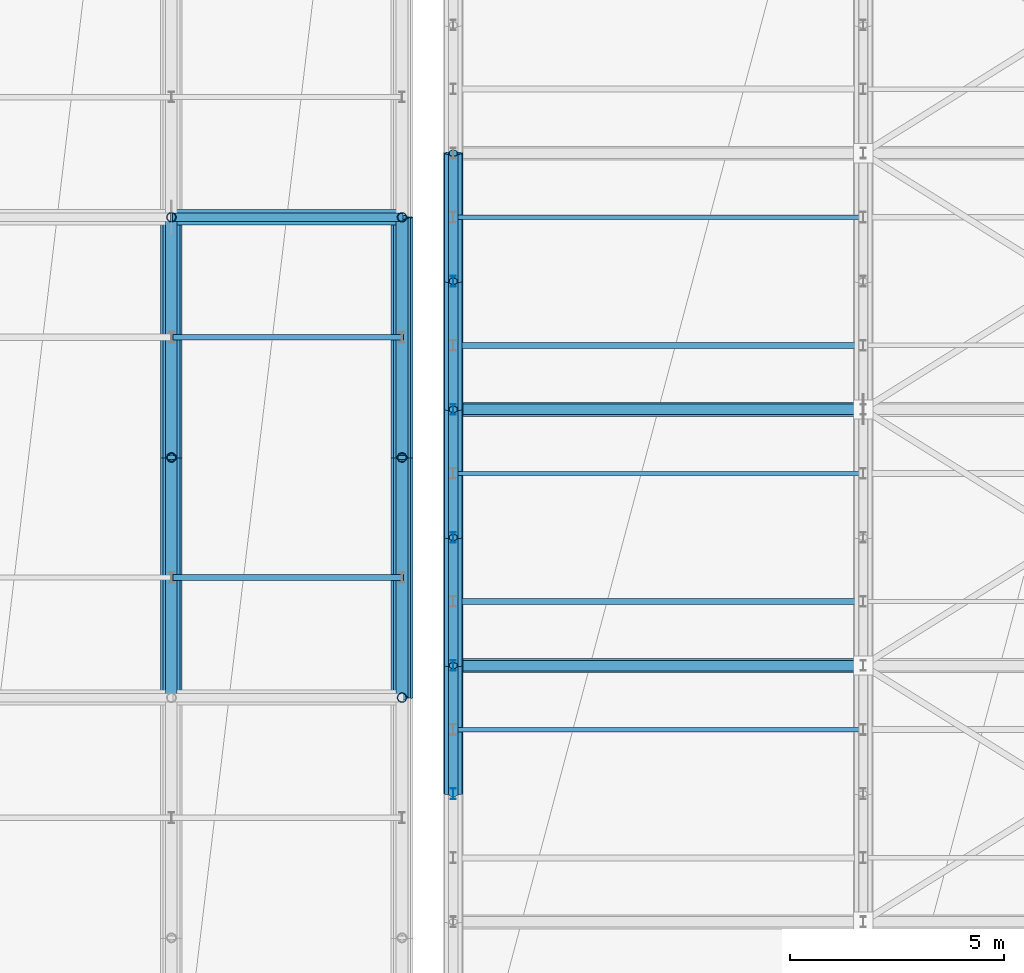
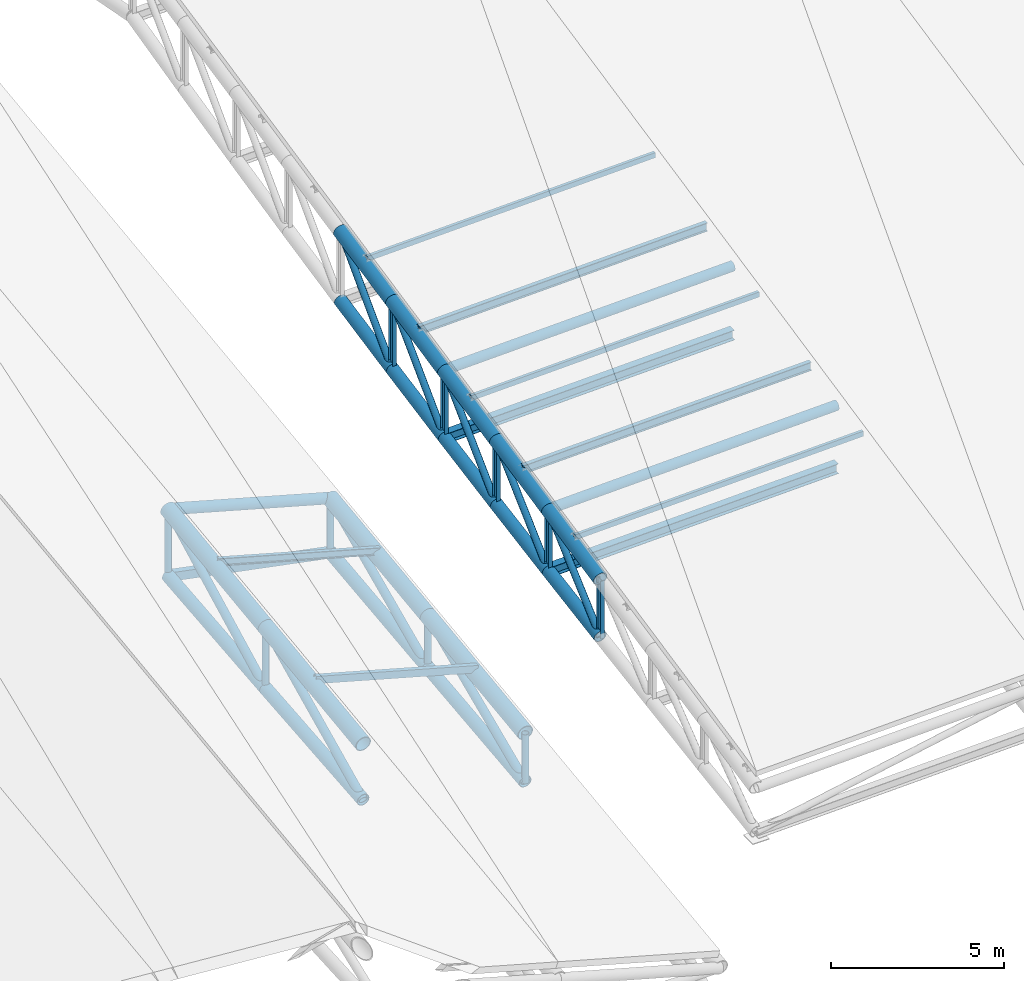
# One storey, part 35 of 109: 32 members, 18 beams.
"""IFC4 building model written with IfcOpenShell, lengths in metres."""

from ifc_helpers import new_model, si_unit, direction, frame, origin, origin_2d, place, context, subcontext, project, spatial, hollow_rectangle, hollow_circle, i_section, extrude, material, material_profile, profile_set, type_object, element, save


model = new_model("IFC4")

# Units and contexts
model_context = context("Model", 3, precision=1e-05, world=origin(), true_north=direction((0.0, 1.0)))
body_context = subcontext(model_context, "Body", "Model", "MODEL_VIEW")
ifc_project = project(units=[si_unit("LENGTHUNIT", "METRE"), si_unit("AREAUNIT", "SQUARE_METRE"), si_unit("VOLUMEUNIT", "CUBIC_METRE"), si_unit("PLANEANGLEUNIT", "RADIAN"), si_unit("MASSUNIT", "GRAM", prefix="KILO")], contexts=[model_context])

# Site, building, storey
site_placement = place(None, origin())
site = spatial("IfcSite", under=ifc_project, at=site_placement, CompositionType="ELEMENT")
building_placement = place(site_placement, origin())
building = spatial("IfcBuilding", under=site, at=building_placement, Name="Suirenkawa Promenade Aquatics Centre", CompositionType="ELEMENT")
storey_placement = place(building_placement, frame((0.0, 0.0, 22.800048828125)))
storey = spatial("IfcBuildingStorey", under=building, at=storey_placement, Name="ROOF", CompositionType="ELEMENT", Elevation=22.800048828125)

# Beams
ifc_material = material(Name="Steel IS 2062 E350 (Grade 350)", Category="steel")
ifc_material_profile_1 = material_profile(ifc_material, hollow_circle(Radius=0.202880859375, WallThickness=0.01806640625, at=origin_2d()), Name="CHS 406x18", Category="steel")
ifc_profile_set_1 = profile_set([ifc_material_profile_1], Name="Steel IS 2062 E350 (Grade 350)")
beam_type_1 = type_object("IfcBeamType", Name="BT-BC-CHS406", PredefinedType="BEAM", material=ifc_profile_set_1)
beam_1_placement = place(storey_placement, frame((149.39990234375, 61.64990234375, -14.02001953125), z_axis=(0.0, 0.99580129814, 0.091541108918), x_axis=(-1.0, 0.0, 0.0)))
element("IfcBeam", 1, at=beam_1_placement, inside=storey, type_object=beam_type_1, Name="ROOF TRUSS V1 bottom chord BC-01 BM-2344", PredefinedType="BEAM", context=body_context, shape_type="SweptSolid", body=[
    extrude(hollow_circle(Radius=0.202880859375, WallThickness=0.01806640625, at=origin_2d()), origin(), (0.0, 0.0, 1.0), 5.648681640625),
])
beam_2_placement = place(storey_placement, frame((149.39990234375, 67.27490234375, -13.5029296875), z_axis=(0.0, 0.995118108673, 0.098691183955), x_axis=(-1.0, 0.0, 0.0)))
element("IfcBeam", 2, at=beam_2_placement, inside=storey, type_object=beam_type_1, Name="ROOF TRUSS V1 bottom chord BC-01 BM-2346", PredefinedType="BEAM", context=body_context, shape_type="SweptSolid", body=[
    extrude(hollow_circle(Radius=0.202880859375, WallThickness=0.01806640625, at=origin_2d()), origin(), (0.0, 0.0, 1.0), 5.652587890625),
])
beam_3_placement = place(storey_placement, frame((154.800048828125, 61.64990234375, -15.27294921875), z_axis=(0.0, 0.993945133668, 0.109877528448), x_axis=(-1.0, 0.0, 0.0)))
element("IfcBeam", 3, at=beam_3_placement, inside=storey, type_object=beam_type_1, Name="ROOF TRUSS V1 bottom chord BC-01 BM-2372", PredefinedType="BEAM", context=body_context, shape_type="SweptSolid", body=[
    extrude(hollow_circle(Radius=0.202880859375, WallThickness=0.01806640625, at=origin_2d()), origin(), (0.0, 0.0, 1.0), 5.6591796875),
])
beam_4_placement = place(storey_placement, frame((154.800048828125, 67.27490234375, -14.651123046875), z_axis=(0.0, 0.993528502262, 0.11358307617), x_axis=(-1.0, 0.0, 0.0)))
element("IfcBeam", 4, at=beam_4_placement, inside=storey, type_object=beam_type_1, Name="ROOF TRUSS V1 bottom chord BC-01 BM-2374", PredefinedType="BEAM", context=body_context, shape_type="SweptSolid", body=[
    extrude(hollow_circle(Radius=0.202880859375, WallThickness=0.01806640625, at=origin_2d()), origin(), (0.0, 0.0, 1.0), 5.66162109375),
])
beam_5_placement = place(storey_placement, frame((156.0, 59.39990234375, -9.208984375), z_axis=(0.0, 0.986393923832, 0.164398987305), x_axis=(-1.0, 0.0, 0.0)))
element("IfcBeam", 5, at=beam_5_placement, inside=storey, type_object=beam_type_1, Name="ROOF TRUSS V2 bottom chord BC-01 BM-2402", PredefinedType="BEAM", context=body_context, shape_type="SweptSolid", body=[
    extrude(hollow_circle(Radius=0.202880859375, WallThickness=0.01806640625, at=origin_2d()), origin(), (0.0, 0.0, 1.0), 3.041259765625),
])
beam_6_placement = place(storey_placement, frame((156.0, 62.39990234375, -8.708984375), z_axis=(0.0, 0.985198806209, 0.171415612604), x_axis=(-1.0, 0.0, 0.0)))
element("IfcBeam", 6, at=beam_6_placement, inside=storey, type_object=beam_type_1, Name="ROOF TRUSS V2 bottom chord BC-01 BM-2404", PredefinedType="BEAM", context=body_context, shape_type="SweptSolid", body=[
    extrude(hollow_circle(Radius=0.202880859375, WallThickness=0.01806640625, at=origin_2d()), origin(), (0.0, 0.0, 1.0), 3.045166015625),
])
beam_7_placement = place(storey_placement, frame((156.0, 65.39990234375, -8.18701171875), z_axis=(0.0, 0.983844279064, 0.179026351561), x_axis=(-1.0, 0.0, 0.0)))
element("IfcBeam", 7, at=beam_7_placement, inside=storey, type_object=beam_type_1, Name="ROOF TRUSS V2 bottom chord BC-01 BM-2406", PredefinedType="BEAM", context=body_context, shape_type="SweptSolid", body=[
    extrude(hollow_circle(Radius=0.202880859375, WallThickness=0.01806640625, at=origin_2d()), origin(), (0.0, 0.0, 1.0), 3.04931640625),
])
beam_8_placement = place(storey_placement, frame((156.0, 68.39990234375, -7.64111328125), z_axis=(0.0, 0.982125967057, 0.188224825229), x_axis=(-1.0, 0.0, 0.0)))
element("IfcBeam", 8, at=beam_8_placement, inside=storey, type_object=beam_type_1, Name="ROOF TRUSS V2 bottom chord BC-01 BM-2408", PredefinedType="BEAM", context=body_context, shape_type="SweptSolid", body=[
    extrude(hollow_circle(Radius=0.202880859375, WallThickness=0.01806640625, at=origin_2d()), origin(), (0.0, 0.0, 1.0), 3.0546875),
])
beam_9_placement = place(storey_placement, frame((156.0, 71.39990234375, -7.066162109375), z_axis=(0.0, 0.980189104436, 0.198063927923), x_axis=(-1.0, 0.0, 0.0)))
element("IfcBeam", 9, at=beam_9_placement, inside=storey, type_object=beam_type_1, Name="ROOF TRUSS V2 bottom chord BC-01 BM-2410", PredefinedType="BEAM", context=body_context, shape_type="SweptSolid", body=[
    extrude(hollow_circle(Radius=0.202880859375, WallThickness=0.01806640625, at=origin_2d()), origin(), (0.0, 0.0, 1.0), 3.060546875),
])
ifc_material_profile_2 = material_profile(ifc_material, hollow_circle(Radius=0.22900390625, WallThickness=0.02001953125, at=origin_2d()), Name="CHS 458x20", Category="steel")
ifc_profile_set_2 = profile_set([ifc_material_profile_2], Name="Steel IS 2062 E350 (Grade 350)")
beam_type_2 = type_object("IfcBeamType", Name="BT-TC-CHS458", PredefinedType="BEAM", material=ifc_profile_set_2)
beam_10_placement = place(storey_placement, frame((156.0, 59.39990234375, -7.179931640625), z_axis=(0.0, 0.978468602667, 0.206395720875), x_axis=(-1.0, 0.0, 0.0)))
element("IfcBeam", 10, at=beam_10_placement, inside=storey, type_object=beam_type_2, Name="ROOF TRUSS V2 top chord TC-01 BM-2401", PredefinedType="BEAM", context=body_context, shape_type="SweptSolid", body=[
    extrude(hollow_circle(Radius=0.22900390625, WallThickness=0.02001953125, at=origin_2d()), origin(), (0.0, 0.0, 1.0), 3.06591796875),
])
for number, where, z_axis, x_axis, name in (
    (11, (156.0, 62.39990234375, -6.547119140625), (0.0, 0.978388130003, 0.206776853322), (-1.0, 0.0, 0.0), "ROOF TRUSS V2 top chord TC-01 BM-2403"),
    (12, (156.0, 65.39990234375, -5.9130859375), (0.0, 0.978452518953, 0.206471954886), (-1.0, 0.0, 0.0), "ROOF TRUSS V2 top chord TC-01 BM-2405"),
    (13, (156.0, 68.39990234375, -5.280029296875), (0.0, 0.978452518953, 0.206471954886), (-1.0, 0.0, 0.0), "ROOF TRUSS V2 top chord TC-01 BM-2407"),
    (14, (156.0, 71.39990234375, -4.64697265625), (0.0, 0.978388130003, 0.206776853322), (-1.0, 0.0, 0.0), "ROOF TRUSS V2 top chord TC-01 BM-2409"),
):
    element("IfcBeam", number, at=place(storey_placement, frame(where, z_axis=z_axis, x_axis=x_axis)), inside=storey, type_object=beam_type_2, Name=name, PredefinedType="BEAM", context=body_context, shape_type="SweptSolid", body=[
        extrude(hollow_circle(Radius=0.22900390625, WallThickness=0.02001953125, at=origin_2d()), origin(), (0.0, 0.0, 1.0), 3.066162109375),
    ])
ifc_material_profile_3 = material_profile(ifc_material, hollow_circle(Radius=0.25390625, WallThickness=0.02392578125, at=origin_2d()), Name="CHS 508x24", Category="steel")
ifc_profile_set_3 = profile_set([ifc_material_profile_3], Name="Steel IS 2062 E350 (Grade 350)")
beam_type_3 = type_object("IfcBeamType", Name="BT-TC-CHS508", PredefinedType="BEAM", material=ifc_profile_set_3)
for number, where, z_axis, x_axis, name in (
    (15, (149.39990234375, 61.64990234375, -12.050048828125), (0.0, 0.991793720609, 0.127848409297), (-1.0, 0.0, 0.0), "ROOF TRUSS V1 top chord TC-02 BM-2343"),
    (16, (149.39990234375, 67.27490234375, -11.324951171875), (0.0, 0.991799178012, 0.127806065951), (-1.0, 0.0, 0.0), "ROOF TRUSS V1 top chord TC-02 BM-2345"),
    (17, (154.800048828125, 61.64990234375, -13.550048828125), (0.0, 0.991793720609, 0.127848409297), (-1.0, 0.0, 0.0), "ROOF TRUSS V1 top chord TC-02 BM-2371"),
    (18, (154.800048828125, 67.27490234375, -12.824951171875), (0.0, 0.991799178012, 0.127806065951), (-1.0, 0.0, 0.0), "ROOF TRUSS V1 top chord TC-02 BM-2373"),
):
    element("IfcBeam", number, at=place(storey_placement, frame(where, z_axis=z_axis, x_axis=x_axis)), inside=storey, type_object=beam_type_3, Name=name, PredefinedType="BEAM", context=body_context, shape_type="SweptSolid", body=[
        extrude(hollow_circle(Radius=0.25390625, WallThickness=0.02392578125, at=origin_2d()), origin(), (0.0, 0.0, 1.0), 5.671630859375),
    ])

# Members
ifc_material_profile_4 = material_profile(ifc_material, hollow_circle(Radius=0.162109375, WallThickness=0.013916015625, at=origin_2d()), Name="CHS 324x14", Category="steel")
ifc_profile_set_4 = profile_set([ifc_material_profile_4], Name="Steel IS 2062 E350 (Grade 350)")
member_type_1 = type_object("IfcMemberType", Name="MT-CHORD-CHS324", PredefinedType="CHORD", material=ifc_profile_set_4)
for number, where, z_axis, x_axis, name in (
    (19, (156.0, 62.39990234375, -6.547119140625), (0.999511927284, 0.0, 0.031239513723), (0.0, 1.0, 0.0), "ROOF TRUSS V2 tie chord CH-01 MB-1178"),
    (20, (156.0, 68.39990234375, -5.280029296875), (0.999511927284, 0.0, 0.031239513723), (0.0, 1.0, 0.0), "ROOF TRUSS V2 tie chord CH-01 MB-1186"),
):
    element("IfcMember", number, at=place(storey_placement, frame(where, z_axis=z_axis, x_axis=x_axis)), inside=storey, type_object=member_type_1, Name=name, PredefinedType="CHORD", context=body_context, shape_type="SweptSolid", body=[
        extrude(hollow_circle(Radius=0.162109375, WallThickness=0.013916015625, at=origin_2d()), origin(), (0.0, 0.0, 1.0), 9.604736328125),
    ])
ifc_material_profile_5 = material_profile(ifc_material, hollow_circle(Radius=0.177978515625, WallThickness=0.01611328125, at=origin_2d()), Name="CHS 356x16", Category="steel")
ifc_profile_set_5 = profile_set([ifc_material_profile_5], Name="Steel IS 2062 E350 (Grade 350)")
member_type_2 = type_object("IfcMemberType", Name="MT-CHORD-CHS356", PredefinedType="CHORD", material=ifc_profile_set_5)
member_1_placement = place(storey_placement, frame((149.39990234375, 72.89990234375, -10.60009765625), z_axis=(0.963519781844, 0.0, -0.267637123724), x_axis=(0.0, 1.0, 0.0)))
element("IfcMember", 21, at=member_1_placement, inside=storey, type_object=member_type_2, Name="ROOF TRUSS V1 tie chord CH-02 MB-0766", PredefinedType="CHORD", context=body_context, shape_type="SweptSolid", body=[
    extrude(hollow_circle(Radius=0.177978515625, WallThickness=0.01611328125, at=origin_2d()), origin(), (0.0, 0.0, 1.0), 5.6044921875),
])
ifc_material_profile_6 = material_profile(ifc_material, i_section(OverallWidth=0.25, OverallDepth=0.35009765625, WebThickness=0.010009765625, FlangeThickness=0.011962890625, at=origin_2d()), Name="ISHB 350", Category="steel")
ifc_profile_set_6 = profile_set([ifc_material_profile_6], Name="Steel IS 2062 E350 (Grade 350)")
member_type_3 = type_object("IfcMemberType", Name="MT-CHORD-ISHB350", PredefinedType="CHORD", material=ifc_profile_set_6)
for number, where, z_axis, x_axis, name in (
    (22, (156.0, 62.39990234375, -8.708984375), (0.999511927284, 0.0, 0.031239513723), (0.0, 1.0, 0.0), "ROOF TRUSS V2 bottom tie CH-04 MB-1179"),
    (23, (156.0, 68.39990234375, -7.64111328125), (0.999511927284, 0.0, 0.031239513723), (0.0, 1.0, 0.0), "ROOF TRUSS V2 bottom tie CH-04 MB-1187"),
):
    element("IfcMember", number, at=place(storey_placement, frame(where, z_axis=z_axis, x_axis=x_axis)), inside=storey, type_object=member_type_3, Name=name, PredefinedType="CHORD", context=body_context, shape_type="SweptSolid", body=[
        extrude(i_section(OverallWidth=0.25, OverallDepth=0.35009765625, WebThickness=0.010009765625, FlangeThickness=0.011962890625, at=origin_2d()), origin(), (0.0, 0.0, 1.0), 9.604736328125),
    ])
ifc_material_profile_7 = material_profile(ifc_material, hollow_rectangle(XDim=0.199951171875, YDim=0.300048828125, WallThickness=0.011962890625, at=origin_2d()), Name="RHS 300x200x12", Category="steel")
ifc_profile_set_7 = profile_set([ifc_material_profile_7], Name="Steel IS 2062 E350 (Grade 350)")
member_type_4 = type_object("IfcMemberType", Name="MT-CHORD-RHS300", PredefinedType="CHORD", material=ifc_profile_set_7)
member_2_placement = place(storey_placement, frame((149.39990234375, 72.89990234375, -12.945068359375), z_axis=(0.981171587341, 0.0, -0.193138075468), x_axis=(0.0, 1.0, 0.0)))
element("IfcMember", 24, at=member_2_placement, inside=storey, type_object=member_type_4, Name="ROOF TRUSS V1 bottom tie CH-03 MB-0767", PredefinedType="CHORD", context=body_context, shape_type="SweptSolid", body=[
    extrude(hollow_rectangle(XDim=0.199951171875, YDim=0.300048828125, WallThickness=0.011962890625, at=origin_2d()), origin(), (0.0, 0.0, 1.0), 5.503662109375),
])
ifc_material_profile_8 = material_profile(ifc_material, i_section(OverallWidth=0.125, OverallDepth=0.25, WebThickness=0.007080078125, FlangeThickness=0.012939453125, at=origin_2d()), Name="ISMB 250", Category="steel")
ifc_profile_set_8 = profile_set([ifc_material_profile_8], Name="Steel IS 2062 E350 (Grade 350)")
member_type_5 = type_object("IfcMemberType", Name="MT-PURLIN-ISMB250", PredefinedType="PURLIN", material=ifc_profile_set_8)
member_3_placement = place(storey_placement, frame((149.39990234375, 70.087890625, -10.740966796875), z_axis=(0.963519781844, 0.0, -0.267637123724), x_axis=(0.0, 1.0, 0.0)))
element("IfcMember", 25, at=member_3_placement, inside=storey, type_object=member_type_5, Name="ROOF TRUSS Roof purlin PU-04 MB-2379", PredefinedType="PURLIN", context=body_context, shape_type="SweptSolid", body=[
    extrude(i_section(OverallWidth=0.125, OverallDepth=0.25, WebThickness=0.007080078125, FlangeThickness=0.012939453125, at=origin_2d()), origin(), (0.0, 0.0, 1.0), 5.6044921875),
])
ifc_material_profile_9 = material_profile(ifc_material, i_section(OverallWidth=0.139892578125, OverallDepth=0.300048828125, WebThickness=0.008056640625, FlangeThickness=0.012939453125, at=origin_2d()), Name="ISMB 300", Category="steel")
ifc_profile_set_9 = profile_set([ifc_material_profile_9], Name="Steel IS 2062 E350 (Grade 350)")
member_type_6 = type_object("IfcMemberType", Name="MT-PURLIN-ISMB300", PredefinedType="PURLIN", material=ifc_profile_set_9)
for number, where, z_axis, x_axis, name in (
    (26, (156.0, 63.89990234375, -6.0439453125), (0.99951272064, 0.0, 0.031214119855), (0.0, 1.0, 0.0), "ROOF TRUSS Roof purlin PU-05 MB-2422"),
    (27, (156.0, 69.89990234375, -4.777099609375), (0.999511927284, 0.0, 0.031239513723), (0.0, 1.0, 0.0), "ROOF TRUSS Roof purlin PU-05 MB-2428"),
):
    element("IfcMember", number, at=place(storey_placement, frame(where, z_axis=z_axis, x_axis=x_axis)), inside=storey, type_object=member_type_6, Name=name, PredefinedType="PURLIN", context=body_context, shape_type="SweptSolid", body=[
        extrude(i_section(OverallWidth=0.139892578125, OverallDepth=0.300048828125, WebThickness=0.008056640625, FlangeThickness=0.012939453125, at=origin_2d()), origin(), (0.0, 0.0, 1.0), 9.604736328125),
    ])
ifc_material_profile_10 = material_profile(ifc_material, hollow_rectangle(XDim=0.10009765625, YDim=0.179931640625, WallThickness=0.008056640625, at=origin_2d()), Name="RHS 180x100x8", Category="steel")
ifc_profile_set_10 = profile_set([ifc_material_profile_10], Name="Steel IS 2062 E350 (Grade 350)")
member_type_7 = type_object("IfcMemberType", Name="MT-PURLIN-RHS180", PredefinedType="PURLIN", material=ifc_profile_set_10)
for number, where, z_axis, x_axis, name in (
    (28, (156.0, 60.89990234375, -6.613037109375), (0.999511927284, 0.0, 0.031239513723), (0.0, 1.0, 0.0), "ROOF TRUSS Roof purlin PU-01 MB-2419"),
    (29, (156.0, 66.89990234375, -5.345947265625), (0.99951272064, 0.0, 0.031214119855), (0.0, 1.0, 0.0), "ROOF TRUSS Roof purlin PU-01 MB-2425"),
    (30, (156.0, 72.89990234375, -4.0791015625), (0.999511927284, 0.0, 0.031239513723), (0.0, 1.0, 0.0), "ROOF TRUSS Roof purlin PU-01 MB-2431"),
):
    element("IfcMember", number, at=place(storey_placement, frame(where, z_axis=z_axis, x_axis=x_axis)), inside=storey, type_object=member_type_7, Name=name, PredefinedType="PURLIN", context=body_context, shape_type="SweptSolid", body=[
        extrude(hollow_rectangle(XDim=0.10009765625, YDim=0.179931640625, WallThickness=0.008056640625, at=origin_2d()), origin(), (0.0, 0.0, 1.0), 9.604736328125),
    ])
ifc_material_profile_11 = material_profile(ifc_material, hollow_rectangle(XDim=0.14990234375, YDim=0.25, WallThickness=0.010009765625, at=origin_2d()), Name="RHS 250x150x10", Category="steel")
ifc_profile_set_11 = profile_set([ifc_material_profile_11], Name="Steel IS 2062 E350 (Grade 350)")
member_type_8 = type_object("IfcMemberType", Name="MT-PURLIN-RHS250", PredefinedType="PURLIN", material=ifc_profile_set_11)
member_4_placement = place(storey_placement, frame((149.39990234375, 64.462890625, -11.468017578125), z_axis=(0.963519781844, 0.0, -0.267637123724), x_axis=(0.0, 1.0, 0.0)))
element("IfcMember", 31, at=member_4_placement, inside=storey, type_object=member_type_8, Name="ROOF TRUSS Roof purlin PU-03 MB-2377", PredefinedType="PURLIN", context=body_context, shape_type="SweptSolid", body=[
    extrude(hollow_rectangle(XDim=0.14990234375, YDim=0.25, WallThickness=0.010009765625, at=origin_2d()), origin(), (0.0, 0.0, 1.0), 5.6044921875),
])
ifc_material_profile_12 = material_profile(ifc_material, i_section(OverallWidth=0.125, OverallDepth=0.25, WebThickness=0.007080078125, FlangeThickness=0.012939453125, at=origin_2d()), Name="ISMB 250", Category="steel")
ifc_profile_set_12 = profile_set([ifc_material_profile_12], Name="Steel IS 2062 E350 (Grade 350)")
member_type_9 = type_object("IfcMemberType", Name="MT-WEB-CHS168", PredefinedType="BRACE", material=ifc_profile_set_12)
member_5_placement = place(storey_placement, frame((156.0, 59.39990234375, -9.208984375), z_axis=(0.0, 0.0, 1.0), x_axis=(1.0, 0.0, 0.0)))
element("IfcMember", 32, at=member_5_placement, inside=storey, type_object=member_type_9, Name="ROOF TRUSS V2 web post TD-03 MB-0991", PredefinedType="BRACE", context=body_context, shape_type="SweptSolid", body=[
    extrude(i_section(OverallWidth=0.125, OverallDepth=0.25, WebThickness=0.007080078125, FlangeThickness=0.012939453125, at=origin_2d()), origin(), (0.0, 0.0, 1.0), 2.029052734375),
])
member_6_placement = place(storey_placement, frame((156.0, 62.39990234375, -8.708984375), z_axis=(0.0, 0.0, 1.0), x_axis=(1.0, 0.0, 0.0)))
element("IfcMember", 33, at=member_6_placement, inside=storey, type_object=member_type_9, Name="ROOF TRUSS V2 web post TD-03 MB-0992", PredefinedType="BRACE", context=body_context, shape_type="SweptSolid", body=[
    extrude(i_section(OverallWidth=0.125, OverallDepth=0.25, WebThickness=0.007080078125, FlangeThickness=0.012939453125, at=origin_2d()), origin(), (0.0, 0.0, 1.0), 2.161865234375),
])
member_7_placement = place(storey_placement, frame((156.0, 65.39990234375, -8.18701171875), z_axis=(0.0, 0.0, 1.0), x_axis=(1.0, 0.0, 0.0)))
element("IfcMember", 34, at=member_7_placement, inside=storey, type_object=member_type_9, Name="ROOF TRUSS V2 web post TD-03 MB-0993", PredefinedType="BRACE", context=body_context, shape_type="SweptSolid", body=[
    extrude(i_section(OverallWidth=0.125, OverallDepth=0.25, WebThickness=0.007080078125, FlangeThickness=0.012939453125, at=origin_2d()), origin(), (0.0, 0.0, 1.0), 2.27392578125),
])
member_8_placement = place(storey_placement, frame((156.0, 68.39990234375, -7.64111328125), z_axis=(0.0, 0.0, 1.0), x_axis=(1.0, 0.0, 0.0)))
element("IfcMember", 35, at=member_8_placement, inside=storey, type_object=member_type_9, Name="ROOF TRUSS V2 web post TD-03 MB-0994", PredefinedType="BRACE", context=body_context, shape_type="SweptSolid", body=[
    extrude(i_section(OverallWidth=0.125, OverallDepth=0.25, WebThickness=0.007080078125, FlangeThickness=0.012939453125, at=origin_2d()), origin(), (0.0, 0.0, 1.0), 2.361083984375),
])
member_9_placement = place(storey_placement, frame((156.0, 71.39990234375, -7.066162109375), z_axis=(0.0, 0.0, 1.0), x_axis=(1.0, 0.0, 0.0)))
element("IfcMember", 36, at=member_9_placement, inside=storey, type_object=member_type_9, Name="ROOF TRUSS V2 web post TD-03 MB-0995", PredefinedType="BRACE", context=body_context, shape_type="SweptSolid", body=[
    extrude(i_section(OverallWidth=0.125, OverallDepth=0.25, WebThickness=0.007080078125, FlangeThickness=0.012939453125, at=origin_2d()), origin(), (0.0, 0.0, 1.0), 2.419189453125),
])
ifc_material_profile_13 = material_profile(ifc_material, hollow_circle(Radius=0.110107421875, WallThickness=0.010009765625, at=origin_2d()), Name="CHS 220x10", Category="steel")
ifc_profile_set_13 = profile_set([ifc_material_profile_13], Name="Steel IS 2062 E350 (Grade 350)")
member_type_10 = type_object("IfcMemberType", Name="MT-WEB-CHS220", PredefinedType="BRACE", material=ifc_profile_set_13)
member_10_placement = place(storey_placement, frame((149.39990234375, 67.27490234375, -13.5029296875), z_axis=(0.0, 0.0, 1.0), x_axis=(1.0, 0.0, 0.0)))
element("IfcMember", 37, at=member_10_placement, inside=storey, type_object=member_type_10, Name="ROOF TRUSS V1 web post TD-01 MB-0530", PredefinedType="BRACE", context=body_context, shape_type="SweptSolid", body=[
    extrude(hollow_circle(Radius=0.110107421875, WallThickness=0.010009765625, at=origin_2d()), origin(), (0.0, 0.0, 1.0), 2.177978515625),
])
member_11_placement = place(storey_placement, frame((149.39990234375, 72.89990234375, -12.945068359375), z_axis=(0.0, 0.0, 1.0), x_axis=(1.0, 0.0, 0.0)))
element("IfcMember", 38, at=member_11_placement, inside=storey, type_object=member_type_10, Name="ROOF TRUSS V1 web post TD-01 MB-0531", PredefinedType="BRACE", context=body_context, shape_type="SweptSolid", body=[
    extrude(hollow_circle(Radius=0.110107421875, WallThickness=0.010009765625, at=origin_2d()), origin(), (0.0, 0.0, 1.0), 2.344970703125),
])
member_12_placement = place(storey_placement, frame((154.800048828125, 61.64990234375, -15.27294921875), z_axis=(0.0, 0.0, 1.0), x_axis=(1.0, 0.0, 0.0)))
element("IfcMember", 39, at=member_12_placement, inside=storey, type_object=member_type_10, Name="ROOF TRUSS V1 web post TD-01 MB-0556", PredefinedType="BRACE", context=body_context, shape_type="SweptSolid", body=[
    extrude(hollow_circle(Radius=0.110107421875, WallThickness=0.010009765625, at=origin_2d()), origin(), (0.0, 0.0, 1.0), 1.722900390625),
])
member_13_placement = place(storey_placement, frame((154.800048828125, 67.27490234375, -14.651123046875), z_axis=(0.0, 0.0, 1.0), x_axis=(1.0, 0.0, 0.0)))
element("IfcMember", 40, at=member_13_placement, inside=storey, type_object=member_type_10, Name="ROOF TRUSS V1 web post TD-01 MB-0557", PredefinedType="BRACE", context=body_context, shape_type="SweptSolid", body=[
    extrude(hollow_circle(Radius=0.110107421875, WallThickness=0.010009765625, at=origin_2d()), origin(), (0.0, 0.0, 1.0), 1.826171875),
])
member_14_placement = place(storey_placement, frame((154.800048828125, 72.89990234375, -14.008056640625), z_axis=(0.0, 0.0, 1.0), x_axis=(1.0, 0.0, 0.0)))
element("IfcMember", 41, at=member_14_placement, inside=storey, type_object=member_type_10, Name="ROOF TRUSS V1 web post TD-01 MB-0558", PredefinedType="BRACE", context=body_context, shape_type="SweptSolid", body=[
    extrude(hollow_circle(Radius=0.110107421875, WallThickness=0.010009765625, at=origin_2d()), origin(), (0.0, 0.0, 1.0), 1.907958984375),
])
member_15_placement = place(storey_placement, frame((156.0, 59.39990234375, -9.208984375), z_axis=(0.0, 0.748003472681, 0.663694813041), x_axis=(-1.0, 0.0, 0.0)))
element("IfcMember", 42, at=member_15_placement, inside=storey, type_object=member_type_10, Name="ROOF TRUSS V2 web diagonal TD-01 MB-0974", PredefinedType="BRACE", context=body_context, shape_type="SweptSolid", body=[
    extrude(hollow_circle(Radius=0.110107421875, WallThickness=0.010009765625, at=origin_2d()), origin(), (0.0, 0.0, 1.0), 4.0107421875),
])
member_16_placement = place(storey_placement, frame((156.0, 62.39990234375, -8.708984375), z_axis=(0.0, 0.731553970693, 0.681783534536), x_axis=(-1.0, 0.0, 0.0)))
element("IfcMember", 43, at=member_16_placement, inside=storey, type_object=member_type_10, Name="ROOF TRUSS V2 web diagonal TD-01 MB-0975", PredefinedType="BRACE", context=body_context, shape_type="SweptSolid", body=[
    extrude(hollow_circle(Radius=0.110107421875, WallThickness=0.010009765625, at=origin_2d()), origin(), (0.0, 0.0, 1.0), 4.100830078125),
])
member_17_placement = place(storey_placement, frame((156.0, 65.39990234375, -8.18701171875), z_axis=(0.0, 0.718152596146, 0.69588565774), x_axis=(-1.0, 0.0, 0.0)))
element("IfcMember", 44, at=member_17_placement, inside=storey, type_object=member_type_10, Name="ROOF TRUSS V2 web diagonal TD-01 MB-0976", PredefinedType="BRACE", context=body_context, shape_type="SweptSolid", body=[
    extrude(hollow_circle(Radius=0.110107421875, WallThickness=0.010009765625, at=origin_2d()), origin(), (0.0, 0.0, 1.0), 4.177490234375),
])
member_18_placement = place(storey_placement, frame((156.0, 68.39990234375, -7.64111328125), z_axis=(0.0, 0.707797651997, 0.706415234708), x_axis=(-1.0, 0.0, 0.0)))
element("IfcMember", 45, at=member_18_placement, inside=storey, type_object=member_type_10, Name="ROOF TRUSS V2 web diagonal TD-01 MB-0977", PredefinedType="BRACE", context=body_context, shape_type="SweptSolid", body=[
    extrude(hollow_circle(Radius=0.110107421875, WallThickness=0.010009765625, at=origin_2d()), origin(), (0.0, 0.0, 1.0), 4.238525390625),
])
member_19_placement = place(storey_placement, frame((156.0, 71.39990234375, -7.066162109375), z_axis=(0.0, 0.700862489994, 0.713296411122), x_axis=(-1.0, 0.0, 0.0)))
element("IfcMember", 46, at=member_19_placement, inside=storey, type_object=member_type_10, Name="ROOF TRUSS V2 web diagonal TD-01 MB-0978", PredefinedType="BRACE", context=body_context, shape_type="SweptSolid", body=[
    extrude(hollow_circle(Radius=0.110107421875, WallThickness=0.010009765625, at=origin_2d()), origin(), (0.0, 0.0, 1.0), 4.280517578125),
])
ifc_material_profile_14 = material_profile(ifc_material, hollow_circle(Radius=0.136962890625, WallThickness=0.011962890625, at=origin_2d()), Name="CHS 274x12", Category="steel")
ifc_profile_set_14 = profile_set([ifc_material_profile_14], Name="Steel IS 2062 E350 (Grade 350)")
member_type_11 = type_object("IfcMemberType", Name="MT-WEB-CHS274", PredefinedType="BRACE", material=ifc_profile_set_14)
member_20_placement = place(storey_placement, frame((149.39990234375, 61.64990234375, -14.02001953125), z_axis=(0.0, 0.901831281516, 0.432088347077), x_axis=(-1.0, 0.0, 0.0)))
element("IfcMember", 47, at=member_20_placement, inside=storey, type_object=member_type_11, Name="ROOF TRUSS V1 web diagonal TD-02 MB-0516", PredefinedType="BRACE", context=body_context, shape_type="SweptSolid", body=[
    extrude(hollow_circle(Radius=0.136962890625, WallThickness=0.011962890625, at=origin_2d()), origin(), (0.0, 0.0, 1.0), 6.2373046875),
])
member_21_placement = place(storey_placement, frame((149.39990234375, 67.27490234375, -13.5029296875), z_axis=(0.0, 0.888646009653, 0.45859379578), x_axis=(-1.0, 0.0, 0.0)))
element("IfcMember", 48, at=member_21_placement, inside=storey, type_object=member_type_11, Name="ROOF TRUSS V1 web diagonal TD-02 MB-0517", PredefinedType="BRACE", context=body_context, shape_type="SweptSolid", body=[
    extrude(hollow_circle(Radius=0.136962890625, WallThickness=0.011962890625, at=origin_2d()), origin(), (0.0, 0.0, 1.0), 6.329833984375),
])
member_22_placement = place(storey_placement, frame((154.800048828125, 61.64990234375, -15.27294921875), z_axis=(0.0, 0.916930171452, 0.399047692238), x_axis=(-1.0, 0.0, 0.0)))
element("IfcMember", 49, at=member_22_placement, inside=storey, type_object=member_type_11, Name="ROOF TRUSS V1 web diagonal TD-02 MB-0543", PredefinedType="BRACE", context=body_context, shape_type="SweptSolid", body=[
    extrude(hollow_circle(Radius=0.136962890625, WallThickness=0.011962890625, at=origin_2d()), origin(), (0.0, 0.0, 1.0), 6.134521484375),
])
member_23_placement = place(storey_placement, frame((154.800048828125, 67.27490234375, -14.651123046875), z_axis=(0.0, 0.910719458776, 0.413025504547), x_axis=(-1.0, 0.0, 0.0)))
element("IfcMember", 50, at=member_23_placement, inside=storey, type_object=member_type_11, Name="ROOF TRUSS V1 web diagonal TD-02 MB-0544", PredefinedType="BRACE", context=body_context, shape_type="SweptSolid", body=[
    extrude(hollow_circle(Radius=0.136962890625, WallThickness=0.011962890625, at=origin_2d()), origin(), (0.0, 0.0, 1.0), 6.176513671875),
])

save(model, "model.ifc")
